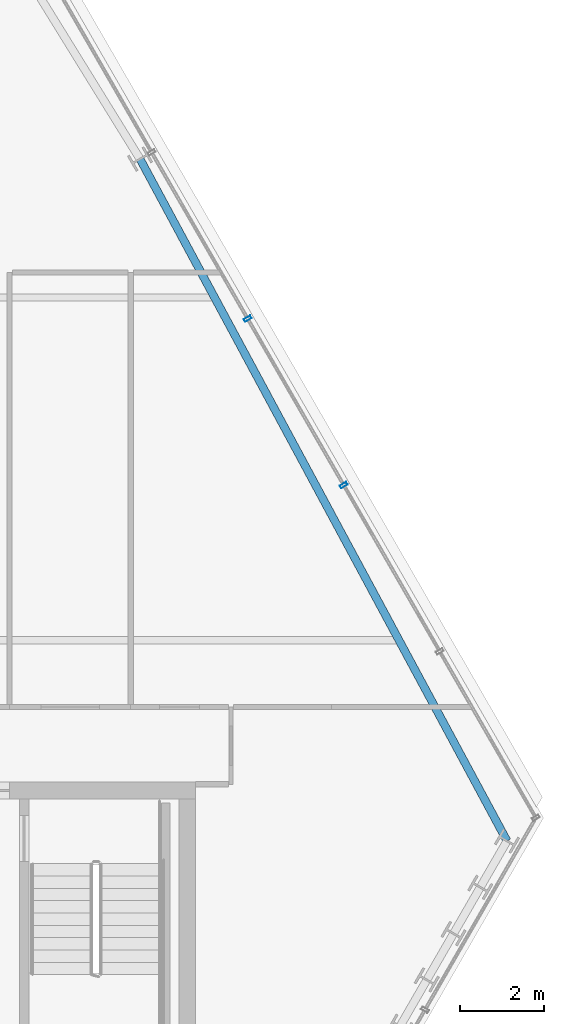
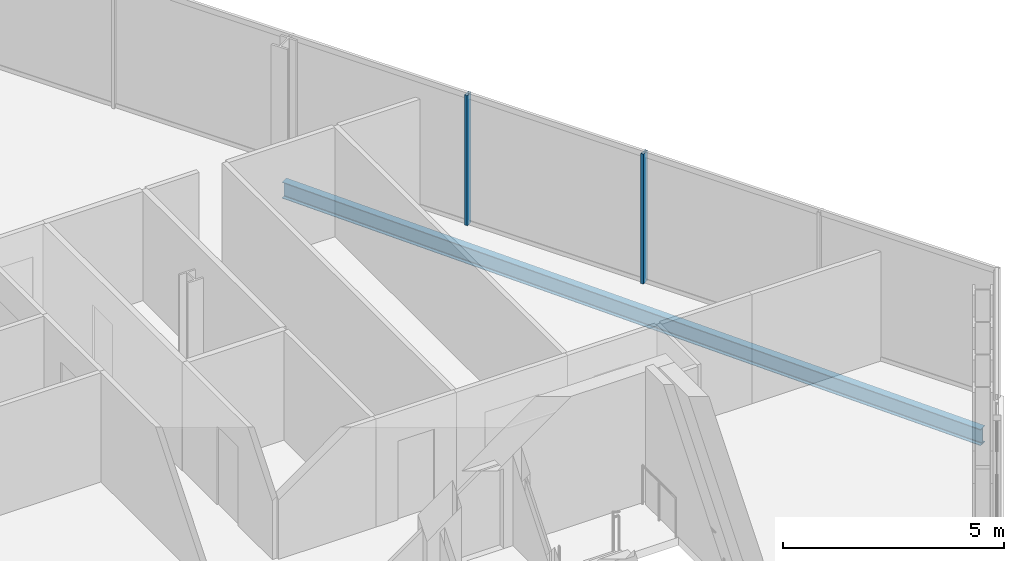
# One storey, part 17 of 33: 2 members, 1 beam, 1 element without a shape of its own.
"""IFC4 building model written with IfcOpenShell, lengths in metres."""

from ifc_helpers import new_model, si_unit, direction, frame, origin, origin_2d, place, context, subcontext, project, spatial, hollow_rectangle, i_section, extrude, material, layer, layer_set, material_profile, profile_set, type_object, element, aggregate, save


model = new_model("IFC4")

# Units and contexts
model_context = context("Model", 3, precision=1e-05, world=origin(), true_north=direction((0.0, 1.0)))
body_context = subcontext(model_context, "Body", "Model", "MODEL_VIEW")
ifc_project = project(units=[si_unit("LENGTHUNIT", "METRE"), si_unit("AREAUNIT", "SQUARE_METRE"), si_unit("VOLUMEUNIT", "CUBIC_METRE"), si_unit("PLANEANGLEUNIT", "RADIAN"), si_unit("MASSUNIT", "GRAM", prefix="KILO")], contexts=[model_context])

# Site, building, storey
site_placement = place(None, origin())
site = spatial("IfcSite", under=ifc_project, at=site_placement, CompositionType="ELEMENT")
building_placement = place(site_placement, origin())
building = spatial("IfcBuilding", under=site, at=building_placement, Name="Ndaravel Arena Tower", CompositionType="ELEMENT")
storey_placement = place(building_placement, frame((0.0, 0.0, 161.199951171875)))
storey = spatial("IfcBuildingStorey", under=building, at=storey_placement, Name="L38", CompositionType="ELEMENT", Elevation=161.199951171875)

# Beam
ifc_material_1 = material(Name="Steel S355", Category="steel")
ifc_material_profile_1 = material_profile(ifc_material_1, i_section(OverallWidth=0.18994140625, OverallDepth=0.449951171875, WebThickness=0.009521484375, FlangeThickness=0.0146484375, FilletRadius=0.02099609375, at=origin_2d()), Name="IPE 450")
ifc_profile_set_1 = profile_set([ifc_material_profile_1], Name="Steel S355")
beam_type = type_object("IfcBeamType", Name="BM-SPAN-IPE450", PredefinedType="SPANDREL", material=ifc_profile_set_1)
beam_placement = place(storey_placement, frame((65.005859375, 13.794189453125, -0.445068359375), z_axis=(-0.473873575868, 0.880592887829, 0.0), x_axis=(-0.880592887829, -0.473873575868, 0.0)))
element("IfcBeam", 1, at=beam_placement, inside=storey, type_object=beam_type, Name="L38 Perimeter Spandrel Beam SP-09", PredefinedType="SPANDREL", context=body_context, shape_type="SweptSolid", body=[
    extrude(i_section(OverallWidth=0.18994140625, OverallDepth=0.449951171875, WebThickness=0.009521484375, FlangeThickness=0.0146484375, FilletRadius=0.02099609375, at=origin_2d()), origin(), (0.0, 0.0, 1.0), 18.533935546875),
])

# Curtain wall, members
ifc_material_2 = material(Name="Aluminium", Category="aluminium")
ifc_layer = layer(ifc_material_2, 0.179931640625)
ifc_layer_set = layer_set([ifc_layer], Name="Aluminium")
curtain_wall_type = type_object("IfcCurtainWallType", Name="CW-SYS-03", PredefinedType="NOTDEFINED", material=ifc_layer_set)
curtain_wall_placement = place(storey_placement, origin())
curtain_wall = element("IfcCurtainWall", 2, at=curtain_wall_placement, inside=storey, type_object=curtain_wall_type, Name="L38 Faceted Crystal Curtain Wall CW-L38-E03", PredefinedType="NOTDEFINED")
ifc_material_3 = material(Name="Aluminium", Category="aluminium")
ifc_material_profile_2 = material_profile(ifc_material_3, hollow_rectangle(XDim=0.074951171875, YDim=0.179931640625, WallThickness=0.00390625, at=origin_2d()), Name="CW MULLION 75x180x4")
ifc_profile_set_2 = profile_set([ifc_material_profile_2], Name="Aluminium")
member_type = type_object("IfcMemberType", Name="MEM-CW-MUL180", PredefinedType="MULLION", material=ifc_profile_set_2)
member_1_placement = place(storey_placement, frame((61.097900390625, 22.311767578125, 0.0), z_axis=(0.0, 0.0, 1.0), x_axis=(-0.5, 0.866025403784, 0.0)))
member_1 = element("IfcMember", 3, at=member_1_placement, type_object=member_type, Name="CW-L38-E03 Mullion 02", PredefinedType="MULLION", context=body_context, shape_type="SweptSolid", body=[
    extrude(hollow_rectangle(XDim=0.074951171875, YDim=0.179931640625, WallThickness=0.00390625, at=origin_2d()), origin(), (0.0, 0.0, 1.0), 3.580078125),
])
member_2_placement = place(storey_placement, frame((58.799072265625, 26.29345703125, 0.0), z_axis=(0.0, 0.0, 1.0), x_axis=(-0.5, 0.866025403784, 0.0)))
member_2 = element("IfcMember", 4, at=member_2_placement, type_object=member_type, Name="CW-L38-E03 Mullion 03", PredefinedType="MULLION", context=body_context, shape_type="SweptSolid", body=[
    extrude(hollow_rectangle(XDim=0.074951171875, YDim=0.179931640625, WallThickness=0.00390625, at=origin_2d()), origin(), (0.0, 0.0, 1.0), 3.580078125),
])
aggregate(curtain_wall, [member_1, member_2])

save(model, "model.ifc")
